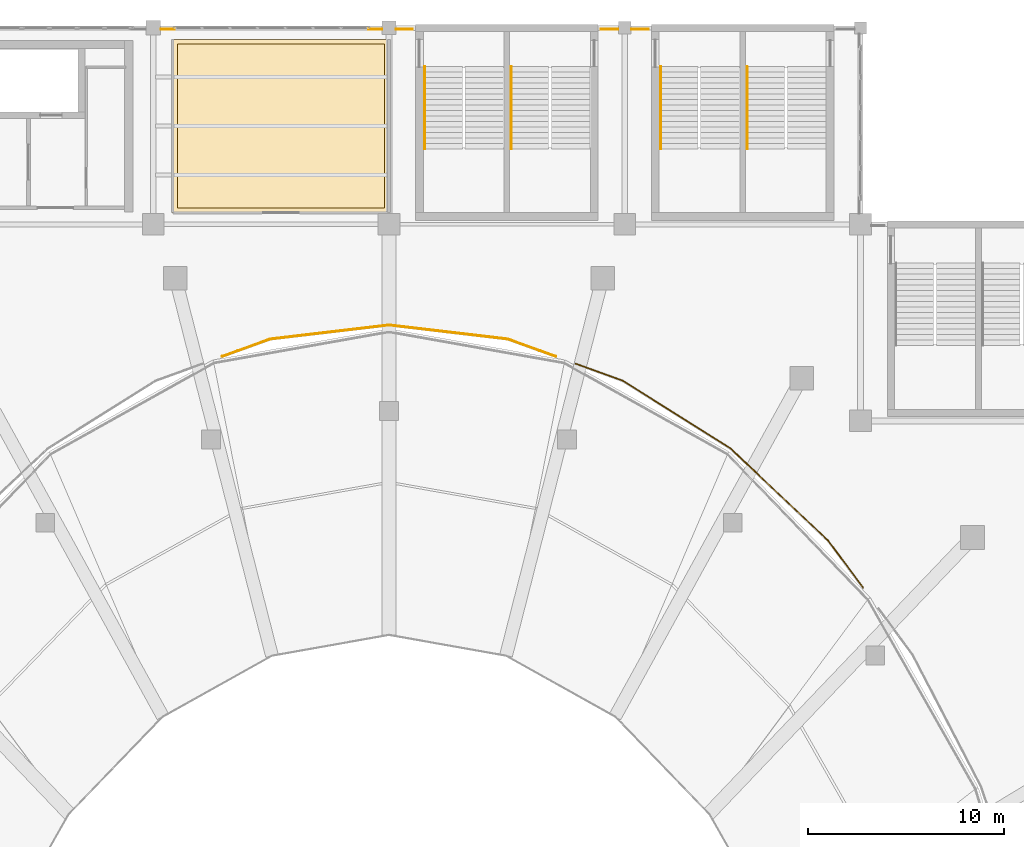
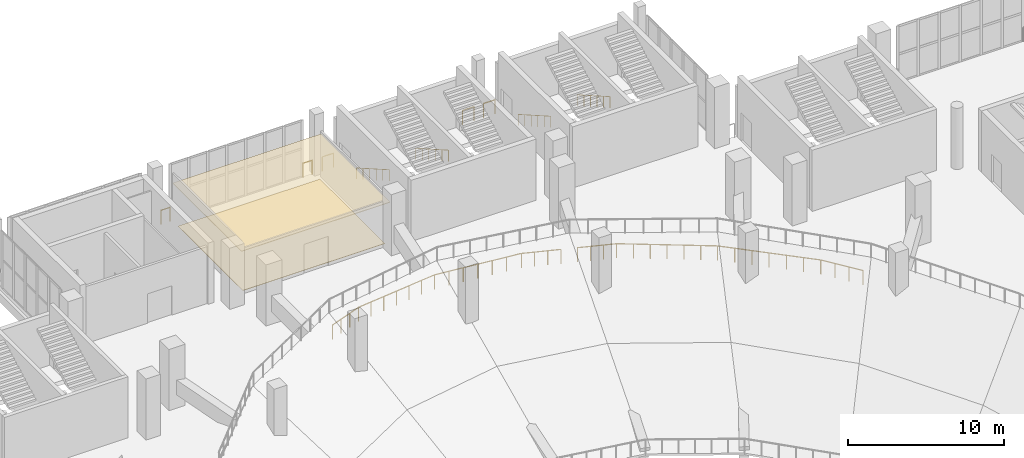
# One storey, part 130 of 136: 11 railings, 2 coverings.
"""IFC4 building model written with IfcOpenShell, lengths in metres."""

from ifc_helpers import new_model, si_unit, direction, frame, origin, origin_2d, place, context, subcontext, project, spatial, polyline, circle, outline, extrude, material, layer, layer_set, type_object, element, save


model = new_model("IFC4")

# Units and contexts
model_context = context("Model", 3, precision=1e-05, world=origin(), true_north=direction((0.0, 1.0)))
body_context = subcontext(model_context, "Body", "Model", "MODEL_VIEW")
ifc_project = project(units=[si_unit("LENGTHUNIT", "METRE"), si_unit("AREAUNIT", "SQUARE_METRE"), si_unit("VOLUMEUNIT", "CUBIC_METRE"), si_unit("PLANEANGLEUNIT", "RADIAN"), si_unit("MASSUNIT", "GRAM", prefix="KILO")], contexts=[model_context])

# Site, building, storey
site_placement = place(None, origin())
site = spatial("IfcSite", under=ifc_project, at=site_placement, CompositionType="ELEMENT")
building_placement = place(site_placement, origin())
building = spatial("IfcBuilding", under=site, at=building_placement, Name="Brinegate Civic Arena", CompositionType="ELEMENT")
storey_placement = place(building_placement, frame((0.0, 0.0, 5.39990234375)))
storey = spatial("IfcBuildingStorey", under=building, at=storey_placement, Name="L01", CompositionType="ELEMENT", Elevation=5.39990234375)

# Coverings
ifc_material_1 = material(Name="Acoustic perforated aluminium ceiling", Category="aluminium")
ifc_layer_1 = layer(ifc_material_1, 0.044921875, Name="Acoustic perforated aluminium ceiling")
ifc_layer_set_1 = layer_set([ifc_layer_1], Name="Acoustic perforated aluminium ceiling")
covering_type_1 = type_object("IfcCoveringType", Name="CEILING-BAFFLE-45", PredefinedType="CEILING", material=ifc_layer_set_1)
covering_1_placement = place(storey_placement, frame((0.0, 0.0, 3.30517578125)))
element("IfcCovering", 1, at=covering_1_placement, inside=storey, type_object=covering_type_1, Name="Acoustic Ceiling L01-005", PredefinedType="CEILING", context=body_context, shape_type="SweptSolid", body=[
    extrude(outline(polyline([(108.00390625, 123.419921875), (108.006103515625, 123.4189453125), (108.008056640625, 123.41796875), (108.009033203125, 123.41796875), (108.010986328125, 123.4169921875), (108.012939453125, 123.4150390625), (108.013916015625, 123.4140625), (108.014892578125, 123.4130859375), (108.01708984375, 123.410888671875), (108.01806640625, 123.408935546875), (108.01806640625, 123.407958984375), (108.01904296875, 123.406005859375), (108.02001953125, 123.404052734375), (108.02001953125, 123.402099609375), (108.02001953125, 123.39990234375), (108.02001953125, 114.60009765625), (108.02001953125, 114.597900390625), (108.02001953125, 114.595947265625), (108.01904296875, 114.593994140625), (108.01806640625, 114.592041015625), (108.01806640625, 114.591064453125), (108.01708984375, 114.589111328125), (108.014892578125, 114.5869140625), (108.013916015625, 114.5859375), (108.012939453125, 114.5849609375), (108.010986328125, 114.5830078125), (108.009033203125, 114.58203125), (108.008056640625, 114.58203125), (108.006103515625, 114.5810546875), (108.00390625, 114.580078125), (108.001953125, 114.580078125), (108.0, 114.580078125), (97.0, 114.580078125), (96.998046875, 114.580078125), (96.99609375, 114.580078125), (96.993896484375, 114.5810546875), (96.991943359375, 114.58203125), (96.990966796875, 114.58203125), (96.989013671875, 114.5830078125), (96.987060546875, 114.5849609375), (96.986083984375, 114.5859375), (96.985107421875, 114.5869140625), (96.98291015625, 114.589111328125), (96.98193359375, 114.591064453125), (96.98193359375, 114.592041015625), (96.98095703125, 114.593994140625), (96.97998046875, 114.595947265625), (96.97998046875, 114.597900390625), (96.97998046875, 114.60009765625), (96.97998046875, 123.39990234375), (96.97998046875, 123.402099609375), (96.97998046875, 123.404052734375), (96.98095703125, 123.406005859375), (96.98193359375, 123.407958984375), (96.98193359375, 123.408935546875), (96.98291015625, 123.410888671875), (96.985107421875, 123.4130859375), (96.986083984375, 123.4140625), (96.987060546875, 123.4150390625), (96.989013671875, 123.4169921875), (96.990966796875, 123.41796875), (96.991943359375, 123.41796875), (96.993896484375, 123.4189453125), (96.99609375, 123.419921875), (96.998046875, 123.419921875), (97.0, 123.419921875), (108.0, 123.419921875), (108.001953125, 123.419921875), (108.00390625, 123.419921875)])), origin(), (0.0, 0.0, 1.0), 0.044921875),
])
ifc_material_2 = material(Name="Polished coral terrazzo flooring")
ifc_layer_2 = layer(ifc_material_2, 0.028076171875, Name="Polished coral terrazzo flooring")
ifc_layer_set_2 = layer_set([ifc_layer_2], Name="Polished coral terrazzo flooring")
covering_type_2 = type_object("IfcCoveringType", Name="FLOORING-TERRAZZO-28", PredefinedType="FLOORING", material=ifc_layer_set_2)
covering_2_placement = place(storey_placement, origin())
element("IfcCovering", 2, at=covering_2_placement, inside=storey, type_object=covering_type_2, Name="Flooring L01-005", PredefinedType="FLOORING", context=body_context, shape_type="SweptSolid", body=[
    extrude(outline(polyline([(97.22998046875, 114.830078125), (97.22998046875, 123.169921875), (107.77001953125, 123.169921875), (107.77001953125, 114.830078125), (97.22998046875, 114.830078125)])), origin(), (0.0, 0.0, 1.0), 0.028076171875),
])

# Railings
ifc_material_3 = material(Name="Architectural stainless steel balustrade", Category="steel")
railing_type_1 = type_object("IfcRailingType", Name="RAIL-STAIR-HANDRAIL-900", PredefinedType="HANDRAIL", material=ifc_material_3)
for number, where, name in (
    (3, (121.824951171875, 117.830078125, 2.400146484375), "Stair Pitch Handrail ST-03A L01"),
    (4, (126.22509765625, 117.830078125, 2.400146484375), "Stair Pitch Handrail ST-03B L01"),
    (5, (109.824951171875, 117.830078125, 2.400146484375), "Stair Pitch Handrail ST-15A L01"),
    (6, (114.22509765625, 117.830078125, 2.400146484375), "Stair Pitch Handrail ST-15B L01"),
):
    element("IfcRailing", number, at=place(storey_placement, frame(where)), inside=storey, type_object=railing_type_1, Name=name, PredefinedType="HANDRAIL", context=body_context, shape_type="SweptSolid", body=[
        extrude(circle(Radius=0.02392578125, at=origin_2d()), frame((0.0, 0.001220703125, 0.875), z_axis=(0.0, 0.868227612608, -0.496166114024), x_axis=(-1.0, 0.0, 0.0)), (0.0, 0.0, 1.0), 4.83447265625),
        extrude(circle(Radius=0.02099609375, at=origin_2d()), origin(), (0.0, 0.0, 1.0), 0.849853515625),
        extrude(circle(Radius=0.02099609375, at=origin_2d()), frame((0.0, 0.840087890625, -0.47998046875)), (0.0, 0.0, 1.0), 0.849853515625),
        extrude(circle(Radius=0.02099609375, at=origin_2d()), frame((0.0, 1.679931640625, -0.9599609375)), (0.0, 0.0, 1.0), 0.849853515625),
        extrude(circle(Radius=0.02099609375, at=origin_2d()), frame((0.0, 2.52001953125, -1.440185546875)), (0.0, 0.0, 1.0), 0.849853515625),
        extrude(circle(Radius=0.02099609375, at=origin_2d()), frame((0.0, 3.35986328125, -1.920166015625)), (0.0, 0.0, 1.0), 0.849853515625),
        extrude(circle(Radius=0.02099609375, at=origin_2d()), frame((0.0, 4.199951171875, -2.400146484375)), (0.0, 0.0, 1.0), 0.849853515625),
    ])
railing_type_2 = type_object("IfcRailingType", Name="RAIL-VOID-BALUSTRADE-1120", PredefinedType="BALUSTRADE", material=ifc_material_3)
railing_1_placement = place(storey_placement, frame((96.39501953125, 123.929931640625, 0.0)))
element("IfcRailing", 7, at=railing_1_placement, inside=storey, type_object=railing_type_2, Name="Deck Edge Balustrade L01-022", PredefinedType="BALUSTRADE", context=body_context, shape_type="SweptSolid", body=[
    extrude(circle(Radius=0.02392578125, at=origin_2d()), frame((0.00146484375, 0.0, 1.09619140625), z_axis=(1.0, 0.0, 0.0), x_axis=(0.0, 1.0, 0.0)), (0.0, 0.0, 1.0), 0.68212890625),
    extrude(circle(Radius=0.02099609375, at=origin_2d()), origin(), (0.0, 0.0, 1.0), 1.070068359375),
    extrude(circle(Radius=0.02099609375, at=origin_2d()), frame((0.68505859375, 0.0, 0.0)), (0.0, 0.0, 1.0), 1.070068359375),
])
railing_2_placement = place(storey_placement, frame((106.955078125, 123.929931640625, 0.0)))
element("IfcRailing", 8, at=railing_2_placement, inside=storey, type_object=railing_type_2, Name="Deck Edge Balustrade L01-023", PredefinedType="BALUSTRADE", context=body_context, shape_type="SweptSolid", body=[
    extrude(circle(Radius=0.02392578125, at=origin_2d()), frame((0.00146484375, 0.0, 1.09619140625), z_axis=(1.0, 0.0, 0.0), x_axis=(0.0, 1.0, 0.0)), (0.0, 0.0, 1.0), 0.671875),
    extrude(circle(Radius=0.02099609375, at=origin_2d()), origin(), (0.0, 0.0, 1.0), 1.070068359375),
    extrude(circle(Radius=0.02099609375, at=origin_2d()), frame((0.6748046875, 0.0, 0.0)), (0.0, 0.0, 1.0), 1.070068359375),
])
railing_3_placement = place(storey_placement, frame((108.3701171875, 123.929931640625, 0.0)))
element("IfcRailing", 9, at=railing_3_placement, inside=storey, type_object=railing_type_2, Name="Deck Edge Balustrade L01-024", PredefinedType="BALUSTRADE", context=body_context, shape_type="SweptSolid", body=[
    extrude(circle(Radius=0.02392578125, at=origin_2d()), frame((0.00146484375, 0.0, 1.09619140625), z_axis=(1.0, 0.0, 0.0), x_axis=(0.0, 1.0, 0.0)), (0.0, 0.0, 1.0), 0.826904296875),
    extrude(circle(Radius=0.02099609375, at=origin_2d()), origin(), (0.0, 0.0, 1.0), 1.070068359375),
    extrude(circle(Radius=0.02099609375, at=origin_2d()), frame((0.829833984375, 0.0, 0.0)), (0.0, 0.0, 1.0), 1.070068359375),
])
for number, where, name in (
    (10, (118.800048828125, 123.929931640625, 0.0), "Deck Edge Balustrade L01-025"),
    (11, (120.344970703125, 123.929931640625, 0.0), "Deck Edge Balustrade L01-026"),
):
    element("IfcRailing", number, at=place(storey_placement, frame(where)), inside=storey, type_object=railing_type_2, Name=name, PredefinedType="BALUSTRADE", context=body_context, shape_type="SweptSolid", body=[
        extrude(circle(Radius=0.02392578125, at=origin_2d()), frame((0.00146484375, 0.0, 1.09619140625), z_axis=(1.0, 0.0, 0.0), x_axis=(0.0, 1.0, 0.0)), (0.0, 0.0, 1.0), 0.85205078125),
        extrude(circle(Radius=0.02099609375, at=origin_2d()), origin(), (0.0, 0.0, 1.0), 1.070068359375),
        extrude(circle(Radius=0.02099609375, at=origin_2d()), frame((0.85498046875, 0.0, 0.0)), (0.0, 0.0, 1.0), 1.070068359375),
    ])
railing_4_placement = place(storey_placement, frame((132.126953125, 95.510009765625, 0.0)))
element("IfcRailing", 12, at=railing_4_placement, inside=storey, type_object=railing_type_2, Name="Deck Edge Balustrade L01-097", PredefinedType="BALUSTRADE", context=body_context, shape_type="SweptSolid", body=[
    extrude(circle(Radius=0.02392578125, at=origin_2d()), frame((-0.0009765625, 0.001220703125, 1.09619140625), z_axis=(-0.595367305418, 0.803453652452, 0.0), x_axis=(-0.803453652452, -0.595367305418, 0.0)), (0.0, 0.0, 1.0), 2.963134765625),
    extrude(circle(Radius=0.02392578125, at=origin_2d()), frame((-1.766845703125, 2.384033203125, 1.09619140625), z_axis=(-0.726970507173, 0.686668684083, 0.0), x_axis=(-0.686668684083, -0.726970507173, 0.0)), (0.0, 0.0, 1.0), 6.82421875),
    extrude(circle(Radius=0.02392578125, at=origin_2d()), frame((-6.730224609375, 7.07177734375, 1.09619140625), z_axis=(-0.846403045838, 0.532542847099, 0.0), x_axis=(-0.532542847099, -0.846403045838, 0.0)), (0.0, 0.0, 1.0), 6.48681640625),
    extrude(circle(Radius=0.02392578125, at=origin_2d()), frame((-12.223388671875, 10.527587890625, 1.09619140625), z_axis=(-0.940300484203, 0.34034541191, 0.0), x_axis=(-0.34034541191, -0.940300484203, 0.0)), (0.0, 0.0, 1.0), 2.564208984375),
    extrude(circle(Radius=0.02099609375, at=origin_2d()), origin(), (0.0, 0.0, 1.0), 1.070068359375),
    extrude(circle(Radius=0.02099609375, at=origin_2d()), frame((-0.588623046875, 0.79443359375, 0.0)), (0.0, 0.0, 1.0), 1.070068359375),
    extrude(circle(Radius=0.02099609375, at=origin_2d()), frame((-1.17724609375, 1.588623046875, 0.0)), (0.0, 0.0, 1.0), 1.070068359375),
    extrude(circle(Radius=0.02099609375, at=origin_2d()), frame((-1.765869140625, 2.383056640625, 0.0)), (0.0, 0.0, 1.0), 1.070068359375),
    extrude(circle(Radius=0.02099609375, at=origin_2d()), frame((-2.593017578125, 3.164306640625, 0.0)), (0.0, 0.0, 1.0), 1.070068359375),
    extrude(circle(Radius=0.02099609375, at=origin_2d()), frame((-3.420166015625, 3.94580078125, 0.0)), (0.0, 0.0, 1.0), 1.070068359375),
    extrude(circle(Radius=0.02099609375, at=origin_2d()), frame((-4.24755859375, 4.72705078125, 0.0)), (0.0, 0.0, 1.0), 1.070068359375),
    extrude(circle(Radius=0.02099609375, at=origin_2d()), frame((-5.07470703125, 5.50830078125, 0.0)), (0.0, 0.0, 1.0), 1.070068359375),
    extrude(circle(Radius=0.02099609375, at=origin_2d()), frame((-5.90185546875, 6.289794921875, 0.0)), (0.0, 0.0, 1.0), 1.070068359375),
    extrude(circle(Radius=0.02099609375, at=origin_2d()), frame((-6.72900390625, 7.071044921875, 0.0)), (0.0, 0.0, 1.0), 1.070068359375),
    extrude(circle(Radius=0.02099609375, at=origin_2d()), frame((-7.64453125, 7.64697265625, 0.0)), (0.0, 0.0, 1.0), 1.070068359375),
    extrude(circle(Radius=0.02099609375, at=origin_2d()), frame((-8.56005859375, 8.22314453125, 0.0)), (0.0, 0.0, 1.0), 1.070068359375),
    extrude(circle(Radius=0.02099609375, at=origin_2d()), frame((-9.4755859375, 8.799072265625, 0.0)), (0.0, 0.0, 1.0), 1.070068359375),
    extrude(circle(Radius=0.02099609375, at=origin_2d()), frame((-10.390869140625, 9.375, 0.0)), (0.0, 0.0, 1.0), 1.070068359375),
    extrude(circle(Radius=0.02099609375, at=origin_2d()), frame((-11.306396484375, 9.951171875, 0.0)), (0.0, 0.0, 1.0), 1.070068359375),
    extrude(circle(Radius=0.02099609375, at=origin_2d()), frame((-12.221923828125, 10.527099609375, 0.0)), (0.0, 0.0, 1.0), 1.070068359375),
    extrude(circle(Radius=0.02099609375, at=origin_2d()), frame((-13.026611328125, 10.818359375, 0.0)), (0.0, 0.0, 1.0), 1.070068359375),
    extrude(circle(Radius=0.02099609375, at=origin_2d()), frame((-13.831298828125, 11.109619140625, 0.0)), (0.0, 0.0, 1.0), 1.070068359375),
    extrude(circle(Radius=0.02099609375, at=origin_2d()), frame((-14.635986328125, 11.40087890625, 0.0)), (0.0, 0.0, 1.0), 1.070068359375),
])
railing_5_placement = place(storey_placement, frame((116.48095703125, 107.27587890625, 0.0)))
element("IfcRailing", 13, at=railing_5_placement, inside=storey, type_object=railing_type_2, Name="Deck Edge Balustrade L01-098", PredefinedType="BALUSTRADE", context=body_context, shape_type="SweptSolid", body=[
    extrude(circle(Radius=0.02392578125, at=origin_2d()), frame((-0.00146484375, 0.00048828125, 1.09619140625), z_axis=(-0.940390365245, 0.340096987571, 0.0), x_axis=(-0.340096987571, -0.940390365245, 0.0)), (0.0, 0.0, 1.0), 2.58203125),
    extrude(circle(Radius=0.02392578125, at=origin_2d()), frame((-2.432373046875, 0.87939453125, 1.09619140625), z_axis=(-0.971850105689, 0.235600025622, 0.0), x_axis=(-0.235600025622, -0.971850105689, 0.0)), (0.0, 0.0, 1.0), 0.013671875),
    extrude(circle(Radius=0.02392578125, at=origin_2d()), frame((-2.448486328125, 0.88330078125, 1.09619140625), z_axis=(-0.993107416776, 0.117207758896, 0.0), x_axis=(-0.117207758896, -0.993107416776, 0.0)), (0.0, 0.0, 1.0), 6.064697265625),
    extrude(circle(Radius=0.02392578125, at=origin_2d()), frame((-8.474365234375, 1.59423828125, 1.09619140625), z_axis=(-1.0, 0.0, 0.0), x_axis=(0.0, -1.0, 0.0)), (0.0, 0.0, 1.0), 0.01318359375),
    extrude(circle(Radius=0.02392578125, at=origin_2d()), frame((-8.490478515625, 1.593994140625, 1.09619140625), z_axis=(-0.993107416776, -0.117207758896, 0.0), x_axis=(0.117207758896, -0.993107416776, 0.0)), (0.0, 0.0, 1.0), 6.064697265625),
    extrude(circle(Radius=0.02392578125, at=origin_2d()), frame((-14.516357421875, 0.8828125, 1.09619140625), z_axis=(-0.971850105689, -0.235600025622, 0.0), x_axis=(0.235600025622, -0.971850105689, 0.0)), (0.0, 0.0, 1.0), 0.013671875),
    extrude(circle(Radius=0.02392578125, at=origin_2d()), frame((-14.532470703125, 0.878662109375, 1.09619140625), z_axis=(-0.940390365245, -0.340096987571, 0.0), x_axis=(0.340096987571, -0.940390365245, 0.0)), (0.0, 0.0, 1.0), 2.58203125),
    extrude(circle(Radius=0.02099609375, at=origin_2d()), origin(), (0.0, 0.0, 1.0), 1.070068359375),
    extrude(circle(Radius=0.02099609375, at=origin_2d()), frame((-0.810302734375, 0.29296875, 0.0)), (0.0, 0.0, 1.0), 1.070068359375),
    extrude(circle(Radius=0.02099609375, at=origin_2d()), frame((-1.62060546875, 0.586181640625, 0.0)), (0.0, 0.0, 1.0), 1.070068359375),
    extrude(circle(Radius=0.02099609375, at=origin_2d()), frame((-2.430908203125, 0.879150390625, 0.0)), (0.0, 0.0, 1.0), 1.070068359375),
    extrude(circle(Radius=0.02099609375, at=origin_2d()), frame((-3.451416015625, 1.00146484375, 0.0)), (0.0, 0.0, 1.0), 1.070068359375),
    extrude(circle(Radius=0.02099609375, at=origin_2d()), frame((-4.45556640625, 1.1201171875, 0.0)), (0.0, 0.0, 1.0), 1.070068359375),
    extrude(circle(Radius=0.02099609375, at=origin_2d()), frame((-5.4599609375, 1.23876953125, 0.0)), (0.0, 0.0, 1.0), 1.070068359375),
    extrude(circle(Radius=0.02099609375, at=origin_2d()), frame((-6.46435546875, 1.357177734375, 0.0)), (0.0, 0.0, 1.0), 1.070068359375),
    extrude(circle(Radius=0.02099609375, at=origin_2d()), frame((-7.468505859375, 1.4755859375, 0.0)), (0.0, 0.0, 1.0), 1.070068359375),
    extrude(circle(Radius=0.02099609375, at=origin_2d()), frame((-8.472900390625, 1.59423828125, 0.0)), (0.0, 0.0, 1.0), 1.070068359375),
    extrude(circle(Radius=0.02099609375, at=origin_2d()), frame((-9.493408203125, 1.4755859375, 0.0)), (0.0, 0.0, 1.0), 1.070068359375),
    extrude(circle(Radius=0.02099609375, at=origin_2d()), frame((-10.49755859375, 1.357177734375, 0.0)), (0.0, 0.0, 1.0), 1.070068359375),
    extrude(circle(Radius=0.02099609375, at=origin_2d()), frame((-11.501953125, 1.23876953125, 0.0)), (0.0, 0.0, 1.0), 1.070068359375),
    extrude(circle(Radius=0.02099609375, at=origin_2d()), frame((-12.50634765625, 1.1201171875, 0.0)), (0.0, 0.0, 1.0), 1.070068359375),
    extrude(circle(Radius=0.02099609375, at=origin_2d()), frame((-13.510498046875, 1.00146484375, 0.0)), (0.0, 0.0, 1.0), 1.070068359375),
    extrude(circle(Radius=0.02099609375, at=origin_2d()), frame((-14.514892578125, 0.883056640625, 0.0)), (0.0, 0.0, 1.0), 1.070068359375),
    extrude(circle(Radius=0.02099609375, at=origin_2d()), frame((-15.34130859375, 0.586181640625, 0.0)), (0.0, 0.0, 1.0), 1.070068359375),
    extrude(circle(Radius=0.02099609375, at=origin_2d()), frame((-16.151611328125, 0.29296875, 0.0)), (0.0, 0.0, 1.0), 1.070068359375),
    extrude(circle(Radius=0.02099609375, at=origin_2d()), frame((-16.9619140625, 0.0, 0.0)), (0.0, 0.0, 1.0), 1.070068359375),
])

save(model, "model.ifc")
